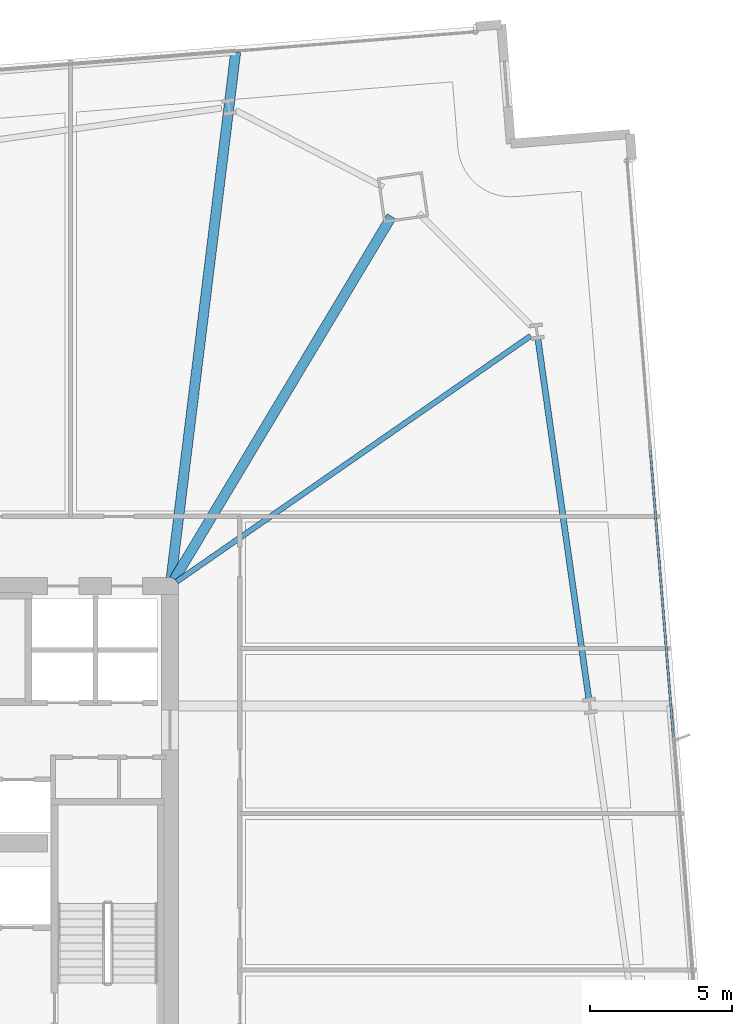
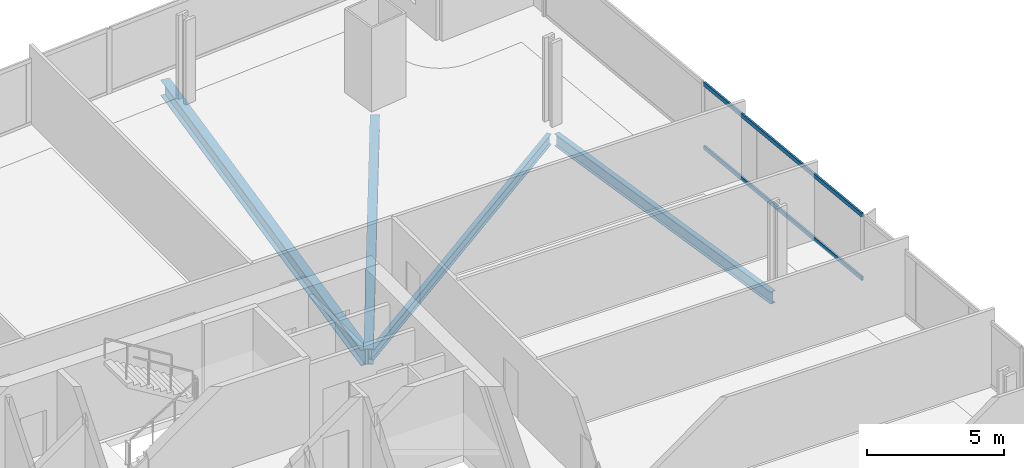
# One storey, part 20 of 33: 4 beams, 2 members, 1 element without a shape of its own.
"""IFC4 building model written with IfcOpenShell, lengths in metres."""

from ifc_helpers import new_model, si_unit, direction, frame, origin, origin_2d, place, context, subcontext, project, spatial, hollow_rectangle, i_section, extrude, material, material_profile, profile_set, type_object, element, aggregate, save


model = new_model("IFC4")

# Units and contexts
model_context = context("Model", 3, precision=1e-05, world=origin(), true_north=direction((0.0, 1.0)))
body_context = subcontext(model_context, "Body", "Model", "MODEL_VIEW")
ifc_project = project(units=[si_unit("LENGTHUNIT", "METRE"), si_unit("AREAUNIT", "SQUARE_METRE"), si_unit("VOLUMEUNIT", "CUBIC_METRE"), si_unit("PLANEANGLEUNIT", "RADIAN"), si_unit("MASSUNIT", "GRAM", prefix="KILO")], contexts=[model_context])

# Site, building, storey
site_placement = place(None, origin())
site = spatial("IfcSite", under=ifc_project, at=site_placement, CompositionType="ELEMENT")
building_placement = place(site_placement, origin())
building = spatial("IfcBuilding", under=site, at=building_placement, Name="Haldenkirk Collegiate Tower", CompositionType="ELEMENT")
storey_placement = place(building_placement, frame((0.0, 0.0, 43.949951171875)))
storey = spatial("IfcBuildingStorey", under=building, at=storey_placement, Name="L09", CompositionType="ELEMENT", Elevation=43.949951171875)

# Beams
ifc_material_1 = material(Name="Steel ASTM A992 Grade 50", Category="steel")
ifc_material_profile_1 = material_profile(ifc_material_1, i_section(OverallWidth=0.35498046875, OverallDepth=0.696044921875, WebThickness=0.015380859375, FlangeThickness=0.02490234375, at=origin_2d()), Name="W27X146")
ifc_profile_set_1 = profile_set([ifc_material_profile_1], Name="Steel ASTM A992 Grade 50")
beam_type_1 = type_object("IfcBeamType", Name="BM-GIRDER-W27X146", PredefinedType="BEAM", material=ifc_profile_set_1)
beam_1_placement = place(storey_placement, frame((52.783935546875, 47.000732421875, -0.657958984375), z_axis=(-0.513696499257, -0.857971973115, 0.0), x_axis=(0.857971973115, -0.513696499257, 0.0)))
element("IfcBeam", 1, at=beam_1_placement, inside=storey, type_object=beam_type_1, Name="L09 primary floor girder 03", PredefinedType="BEAM", context=body_context, shape_type="SweptSolid", body=[
    extrude(i_section(OverallWidth=0.35498046875, OverallDepth=0.696044921875, WebThickness=0.015380859375, FlangeThickness=0.02490234375, at=origin_2d()), origin(), (0.0, 0.0, 1.0), 14.872802734375),
])
beam_2_placement = place(storey_placement, frame((47.302490234375, 52.772705078125, -0.657958984375), z_axis=(-0.121733238391, -0.992562853763, 0.0), x_axis=(0.992562853763, -0.121733238391, 0.0)))
element("IfcBeam", 2, at=beam_2_placement, inside=storey, type_object=beam_type_1, Name="L09 primary floor girder 11", PredefinedType="BEAM", context=body_context, shape_type="SweptSolid", body=[
    extrude(i_section(OverallWidth=0.35498046875, OverallDepth=0.696044921875, WebThickness=0.015380859375, FlangeThickness=0.02490234375, at=origin_2d()), origin(), (0.0, 0.0, 1.0), 18.633544921875),
])
ifc_material_profile_2 = material_profile(ifc_material_1, i_section(OverallWidth=0.19189453125, OverallDepth=0.462890625, WebThickness=0.010498046875, FlangeThickness=0.017578125, at=origin_2d()), Name="W18X60")
ifc_profile_set_2 = profile_set([ifc_material_profile_2], Name="Steel ASTM A992 Grade 50")
beam_type_2 = type_object("IfcBeamType", Name="BM-JOIST-W18X60", PredefinedType="JOIST", material=ifc_profile_set_2)
beam_3_placement = place(storey_placement, frame((57.675048828125, 42.7978515625, -0.54150390625), z_axis=(-0.821500606737, -0.570207640365, 0.0), x_axis=(0.570207640365, -0.821500606737, 0.0)))
element("IfcBeam", 3, at=beam_3_placement, inside=storey, type_object=beam_type_2, Name="L09 composite floor joist 10", PredefinedType="JOIST", context=body_context, shape_type="SweptSolid", body=[
    extrude(i_section(OverallWidth=0.19189453125, OverallDepth=0.462890625, WebThickness=0.010498046875, FlangeThickness=0.017578125, at=origin_2d()), origin(), (0.0, 0.0, 1.0), 15.149169921875),
])
ifc_material_profile_3 = material_profile(ifc_material_1, i_section(OverallWidth=0.2119140625, OverallDepth=0.5439453125, WebThickness=0.01318359375, FlangeThickness=0.021240234375, at=origin_2d()), Name="W21X83")
ifc_profile_set_3 = profile_set([ifc_material_profile_3], Name="Steel ASTM A992 Grade 50")
beam_type_3 = type_object("IfcBeamType", Name="BM-SPANDREL-W21X83", PredefinedType="SPANDREL", material=ifc_profile_set_3)
beam_4_placement = place(storey_placement, frame((59.716552734375, 30.050537109375, -0.58203125), z_axis=(-0.140052642207, 0.990144058918, 0.0), x_axis=(-0.990144058918, -0.140052642207, 0.0)))
element("IfcBeam", 4, at=beam_4_placement, inside=storey, type_object=beam_type_3, Name="L09 perimeter spandrel beam 07", PredefinedType="SPANDREL", context=body_context, shape_type="SweptSolid", body=[
    extrude(i_section(OverallWidth=0.2119140625, OverallDepth=0.5439453125, WebThickness=0.01318359375, FlangeThickness=0.021240234375, at=origin_2d()), origin(), (0.0, 0.0, 1.0), 12.761962890625),
])

# Curtain wall, members
ifc_material_2 = material(Name="Anodised architectural bronze aluminium", Category="aluminium")
curtain_wall_type = type_object("IfcCurtainWallType", Name="CW-SYS1-CONVEX-LOW", PredefinedType="USERDEFINED", material=ifc_material_2)
curtain_wall_placement = place(storey_placement, origin())
curtain_wall = element("IfcCurtainWall", 5, at=curtain_wall_placement, inside=storey, type_object=curtain_wall_type, Name="L09 Lower tower convex bronze-framed unitised curtain wall", ObjectType="UNITISED CURTAIN WALL", PredefinedType="USERDEFINED")
ifc_material_profile_4 = material_profile(ifc_material_2, hollow_rectangle(XDim=0.080078125, YDim=0.179931640625, WallThickness=0.0048828125, at=origin_2d()), Name="CW-TRN-1A")
ifc_profile_set_4 = profile_set([ifc_material_profile_4], Name="Anodised architectural bronze aluminium")
member_type = type_object("IfcMemberType", Name="CW-TRN-1A", PredefinedType="USERDEFINED", material=ifc_profile_set_4)
member_1_placement = place(storey_placement, frame((61.878662109375, 38.776611328125, 0.0400390625), z_axis=(0.080214088622, -0.99677765825, 0.0), x_axis=(0.99677765825, 0.080214088622, 0.0)))
member_1 = element("IfcMember", 6, at=member_1_placement, type_object=member_type, Name="CW-1A transom 2.1", ObjectType="TRANSOM", PredefinedType="USERDEFINED", context=body_context, shape_type="SweptSolid", body=[
    extrude(hollow_rectangle(XDim=0.080078125, YDim=0.179931640625, WallThickness=0.0048828125, at=origin_2d()), origin(), (0.0, 0.0, 1.0), 10.1201171875),
])
member_2_placement = place(storey_placement, frame((61.878662109375, 38.776611328125, 2.85107421875), z_axis=(0.080214088622, -0.99677765825, 0.0), x_axis=(0.99677765825, 0.080214088622, 0.0)))
member_2 = element("IfcMember", 7, at=member_2_placement, type_object=member_type, Name="CW-1A transom 2.2", ObjectType="TRANSOM", PredefinedType="USERDEFINED", context=body_context, shape_type="SweptSolid", body=[
    extrude(hollow_rectangle(XDim=0.080078125, YDim=0.179931640625, WallThickness=0.0048828125, at=origin_2d()), origin(), (0.0, 0.0, 1.0), 10.1201171875),
])
aggregate(curtain_wall, [member_1, member_2])

save(model, "model.ifc")
